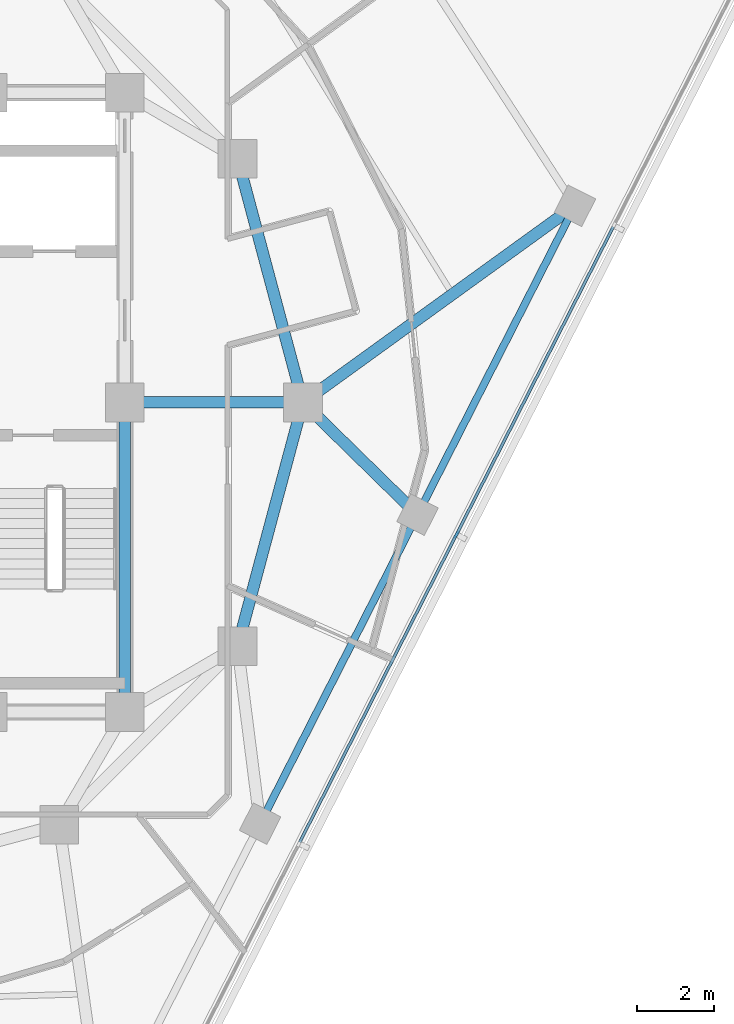
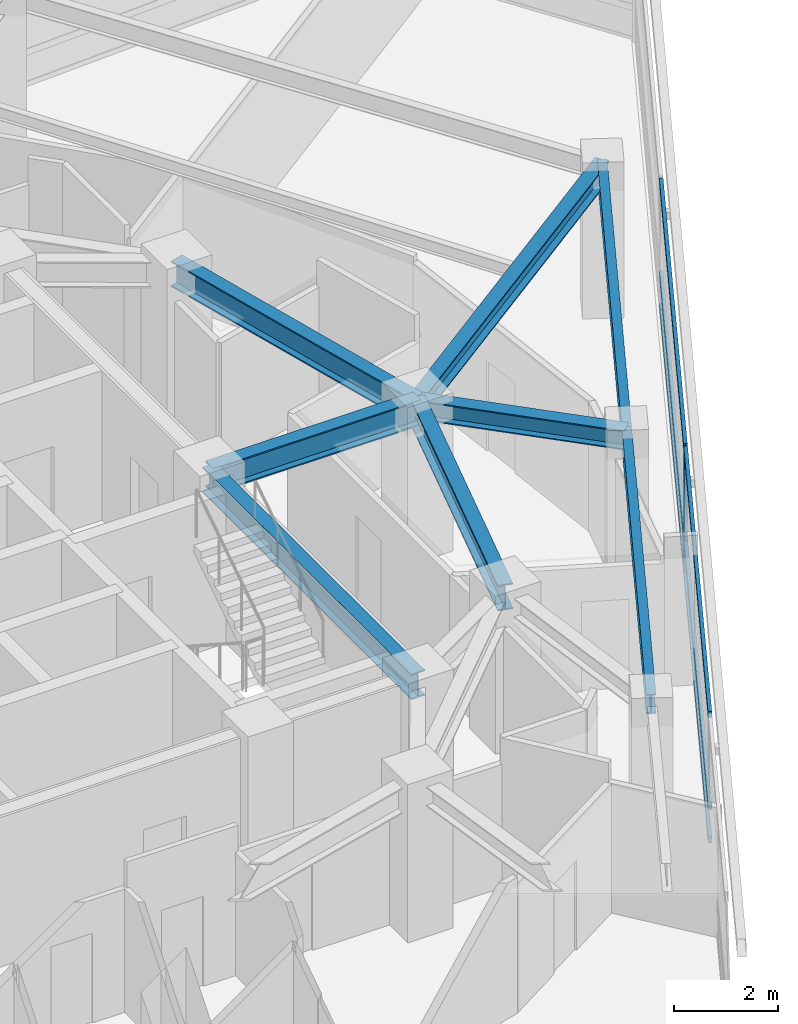
# One storey, part 4 of 15: 8 beams, 7 members, 1 element without a shape of its own.
"""IFC4 building model written with IfcOpenShell, lengths in metres."""

from ifc_helpers import new_model, si_unit, direction, frame, origin, origin_2d, place, context, subcontext, project, spatial, rectangle, i_section, extrude, material, layer, layer_set, material_profile, profile_set, type_object, element, aggregate, save


model = new_model("IFC4")

# Units and contexts
model_context = context("Model", 3, precision=1e-05, world=origin(), true_north=direction((0.0, 1.0)))
body_context = subcontext(model_context, "Body", "Model", "MODEL_VIEW")
ifc_project = project(units=[si_unit("LENGTHUNIT", "METRE"), si_unit("AREAUNIT", "SQUARE_METRE"), si_unit("VOLUMEUNIT", "CUBIC_METRE"), si_unit("PLANEANGLEUNIT", "RADIAN"), si_unit("MASSUNIT", "GRAM", prefix="KILO")], contexts=[model_context])

# Site, building, storey
site_placement = place(None, origin())
site = spatial("IfcSite", under=ifc_project, at=site_placement, CompositionType="ELEMENT")
building_placement = place(site_placement, origin())
building = spatial("IfcBuilding", under=site, at=building_placement, Name="Terralouvre Media Tower", CompositionType="ELEMENT")
storey_placement = place(building_placement, frame((0.0, 0.0, 255.89990234375)))
storey = spatial("IfcBuildingStorey", under=building, at=storey_placement, Name="L66", CompositionType="ELEMENT", Elevation=255.89990234375)

# Curtain wall, members
ifc_material_1 = material(Name="Low-iron laminated double glazing with solar-control coating", Category="glass")
ifc_layer = layer(ifc_material_1, 0.1650390625, Name="Upper Executive Tower Curtain Wall CW-05")
ifc_layer_set = layer_set([ifc_layer], Name="Low-iron laminated double glazing with solar-control coating")
curtain_wall_type = type_object("IfcCurtainWallType", Name="Upper Executive Tower Curtain Wall CW-05", PredefinedType="NOTDEFINED", material=ifc_layer_set)
curtain_wall_placement = place(storey_placement, origin())
curtain_wall = element("IfcCurtainWall", 1, at=curtain_wall_placement, inside=storey, type_object=curtain_wall_type, Name="L66 Facade Curtain Wall F0", PredefinedType="NOTDEFINED")
ifc_material_2 = material(Name="Anodised extruded aluminium 6063-T6", Category="aluminium")
ifc_material_profile_1 = material_profile(ifc_material_2, rectangle(XDim=0.074951171875, YDim=0.14990234375, at=origin_2d()), Name="ALU 75x150")
ifc_profile_set_1 = profile_set([ifc_material_profile_1], Name="Anodised extruded aluminium 6063-T6")
member_type_1 = type_object("IfcMemberType", Name="Curtain-Wall Horizontal Transom TR-150", PredefinedType="USERDEFINED", material=ifc_profile_set_1)
member_1_placement = place(storey_placement, frame((12.517822265625, -11.364013671875, 0.03759765625), z_axis=(0.4539932871, 0.891005103952, 0.0), x_axis=(-0.891005103952, 0.4539932871, 0.0)))
member_1 = element("IfcMember", 2, at=member_1_placement, type_object=member_type_1, Name="CW-05 transom 3.1", ObjectType="TRANSOM", PredefinedType="USERDEFINED", context=body_context, shape_type="SweptSolid", body=[
    extrude(rectangle(XDim=0.074951171875, YDim=0.14990234375, at=origin_2d()), origin(), (0.0, 0.0, 1.0), 8.885009765625),
])
member_2_placement = place(storey_placement, frame((12.517822265625, -11.364013671875, 0.800048828125), z_axis=(0.4539932871, 0.891005103952, 0.0), x_axis=(-0.891005103952, 0.4539932871, 0.0)))
member_2 = element("IfcMember", 3, at=member_2_placement, type_object=member_type_1, Name="CW-05 transom 3.2", ObjectType="TRANSOM", PredefinedType="USERDEFINED", context=body_context, shape_type="SweptSolid", body=[
    extrude(rectangle(XDim=0.074951171875, YDim=0.14990234375, at=origin_2d()), origin(), (0.0, 0.0, 1.0), 8.885009765625),
])
member_3_placement = place(storey_placement, frame((12.517822265625, -11.364013671875, 2.962646484375), z_axis=(0.4539932871, 0.891005103952, 0.0), x_axis=(-0.891005103952, 0.4539932871, 0.0)))
member_3 = element("IfcMember", 4, at=member_3_placement, type_object=member_type_1, Name="CW-05 transom 3.3", ObjectType="TRANSOM", PredefinedType="USERDEFINED", context=body_context, shape_type="SweptSolid", body=[
    extrude(rectangle(XDim=0.074951171875, YDim=0.14990234375, at=origin_2d()), origin(), (0.0, 0.0, 1.0), 8.885009765625),
])
member_4_placement = place(storey_placement, frame((16.585693359375, -3.380615234375, 0.03759765625), z_axis=(0.4539932871, 0.891005103952, 0.0), x_axis=(-0.891005103952, 0.4539932871, 0.0)))
member_4 = element("IfcMember", 5, at=member_4_placement, type_object=member_type_1, Name="CW-05 transom 4.1", ObjectType="TRANSOM", PredefinedType="USERDEFINED", context=body_context, shape_type="SweptSolid", body=[
    extrude(rectangle(XDim=0.074951171875, YDim=0.14990234375, at=origin_2d()), origin(), (0.0, 0.0, 1.0), 8.885009765625),
])
member_5_placement = place(storey_placement, frame((16.585693359375, -3.380615234375, 0.800048828125), z_axis=(0.4539932871, 0.891005103952, 0.0), x_axis=(-0.891005103952, 0.4539932871, 0.0)))
member_5 = element("IfcMember", 6, at=member_5_placement, type_object=member_type_1, Name="CW-05 transom 4.2", ObjectType="TRANSOM", PredefinedType="USERDEFINED", context=body_context, shape_type="SweptSolid", body=[
    extrude(rectangle(XDim=0.074951171875, YDim=0.14990234375, at=origin_2d()), origin(), (0.0, 0.0, 1.0), 8.885009765625),
])
member_6_placement = place(storey_placement, frame((16.585693359375, -3.380615234375, 2.962646484375), z_axis=(0.4539932871, 0.891005103952, 0.0), x_axis=(-0.891005103952, 0.4539932871, 0.0)))
member_6 = element("IfcMember", 7, at=member_6_placement, type_object=member_type_1, Name="CW-05 transom 4.3", ObjectType="TRANSOM", PredefinedType="USERDEFINED", context=body_context, shape_type="SweptSolid", body=[
    extrude(rectangle(XDim=0.074951171875, YDim=0.14990234375, at=origin_2d()), origin(), (0.0, 0.0, 1.0), 8.885009765625),
])
ifc_material_3 = material(Name="Anodised extruded aluminium 6063-T6", Category="aluminium")
ifc_material_profile_2 = material_profile(ifc_material_3, rectangle(XDim=0.074951171875, YDim=0.179931640625, at=origin_2d()), Name="ALU 75x180")
ifc_profile_set_2 = profile_set([ifc_material_profile_2], Name="Anodised extruded aluminium 6063-T6")
member_type_2 = type_object("IfcMemberType", Name="Curtain-Wall Vertical Mullion ML-180", PredefinedType="MULLION", material=ifc_profile_set_2)
member_7_placement = place(storey_placement, frame((16.568603515625, -3.4140625, 0.0), z_axis=(0.0, 0.0, 1.0), x_axis=(-0.891006553308, 0.45399044259, 0.0)))
member_7 = element("IfcMember", 8, at=member_7_placement, type_object=member_type_2, Name="CW-05 mullion 4", PredefinedType="MULLION", context=body_context, shape_type="SweptSolid", body=[
    extrude(rectangle(XDim=0.074951171875, YDim=0.179931640625, at=origin_2d()), origin(), (0.0, 0.0, 1.0), 3.0),
])
aggregate(curtain_wall, [member_7, member_1, member_2, member_3, member_4, member_5, member_6])

# Beams
ifc_material_4 = material(Name="Structural steel S355J2", Category="steel")
ifc_material_profile_3 = material_profile(ifc_material_4, i_section(OverallWidth=0.18994140625, OverallDepth=0.449951171875, WebThickness=0.009521484375, FlangeThickness=0.0146484375, at=origin_2d()), Name="IPE 450")
ifc_profile_set_3 = profile_set([ifc_material_profile_3], Name="Structural steel S355J2")
beam_type_1 = type_object("IfcBeamType", Name="Perimeter Spandrel Beam SPB-450 (IPE 450)", PredefinedType="SPANDREL", material=ifc_profile_set_3)
for number, where, z_axis, x_axis, name in (
    (9, (11.493896484375, -10.884521484375, 3.275146484375), (0.454001700669, 0.891000816941, 0.0), (-0.891000816941, 0.454001700669, 0.0), "L66 Framing Beam BM-L66-PR05"),
    (10, (15.561767578125, -2.901123046875, 3.275146484375), (0.453980068772, 0.891011838955, 0.0), (-0.891011838955, 0.453980068772, 0.0), "L66 Framing Beam BM-L66-PR06"),
):
    element("IfcBeam", number, at=place(storey_placement, frame(where, z_axis=z_axis, x_axis=x_axis)), inside=storey, type_object=beam_type_1, Name=name, PredefinedType="SPANDREL", context=body_context, shape_type="SweptSolid", body=[
        extrude(i_section(OverallWidth=0.18994140625, OverallDepth=0.449951171875, WebThickness=0.009521484375, FlangeThickness=0.0146484375, at=origin_2d()), origin(), (0.0, 0.0, 1.0), 8.9599609375),
    ])
ifc_material_5 = material(Name="Structural steel S355J2", Category="steel")
ifc_material_profile_4 = material_profile(ifc_material_5, i_section(OverallWidth=0.300048828125, OverallDepth=0.449951171875, WebThickness=0.013916015625, FlangeThickness=0.02587890625, at=origin_2d()), Name="HEB 450")
ifc_profile_set_4 = profile_set([ifc_material_profile_4], Name="Structural steel S355J2")
beam_type_2 = type_object("IfcBeamType", Name="Primary Floor Girder B-HEB450 (HEB 450)", PredefinedType="BEAM", material=ifc_profile_set_4)
beam_1_placement = place(storey_placement, frame((12.60009765625, 0.0, 3.275146484375), z_axis=(0.71437119745, -0.699766955675, 0.0), x_axis=(0.699766955675, 0.71437119745, 0.0)))
element("IfcBeam", 11, at=beam_1_placement, inside=storey, type_object=beam_type_2, Name="L66 Framing Beam BM-L66-RD06", PredefinedType="BEAM", context=body_context, shape_type="SweptSolid", body=[
    extrude(i_section(OverallWidth=0.300048828125, OverallDepth=0.449951171875, WebThickness=0.013916015625, FlangeThickness=0.02587890625, at=origin_2d()), origin(), (0.0, 0.0, 1.0), 4.145751953125),
])
beam_2_placement = place(storey_placement, frame((12.60009765625, 0.0, 3.275146484375), z_axis=(0.810374824206, 0.585911805901, 0.0), x_axis=(-0.585911805901, 0.810374824206, 0.0)))
element("IfcBeam", 12, at=beam_2_placement, inside=storey, type_object=beam_type_2, Name="L66 Framing Beam BM-L66-RD07", PredefinedType="BEAM", context=body_context, shape_type="SweptSolid", body=[
    extrude(i_section(OverallWidth=0.300048828125, OverallDepth=0.449951171875, WebThickness=0.013916015625, FlangeThickness=0.02587890625, at=origin_2d()), origin(), (0.0, 0.0, 1.0), 8.674072265625),
])
ifc_material_6 = material(Name="Structural steel S460M", Category="steel")
ifc_material_profile_5 = material_profile(ifc_material_6, i_section(OverallWidth=0.300048828125, OverallDepth=0.60009765625, WebThickness=0.015380859375, FlangeThickness=0.030029296875, at=origin_2d()), Name="HEB 600")
ifc_profile_set_5 = profile_set([ifc_material_profile_5], Name="Structural steel S460M")
beam_type_3 = type_object("IfcBeamType", Name="Primary Floor Girder B-HEB600 (HEB 600)", PredefinedType="BEAM", material=ifc_profile_set_5)
beam_3_placement = place(storey_placement, frame((8.0, -8.0, 3.2001953125), z_axis=(0.0, 1.0, 0.0), x_axis=(-1.0, 0.0, 0.0)))
element("IfcBeam", 13, at=beam_3_placement, inside=storey, type_object=beam_type_3, Name="L66 Framing Beam BM-L66-CPR04", PredefinedType="BEAM", context=body_context, shape_type="SweptSolid", body=[
    extrude(i_section(OverallWidth=0.300048828125, OverallDepth=0.60009765625, WebThickness=0.015380859375, FlangeThickness=0.030029296875, at=origin_2d()), origin(), (0.0, 0.0, 1.0), 8.0),
])
for number, where, z_axis, x_axis, name in (
    (14, (10.911865234375, -6.300048828125, 3.2001953125), (0.258838989821, 0.965920481897, 0.0), (-0.965920481897, 0.258838989821, 0.0), "L66 Framing Beam BM-L66-MR05"),
    (15, (12.60009765625, 0.0, 3.2001953125), (-0.258838989821, 0.965920481897, 0.0), (-0.965920481897, -0.258838989821, 0.0), "L66 Framing Beam BM-L66-MR06"),
):
    element("IfcBeam", number, at=place(storey_placement, frame(where, z_axis=z_axis, x_axis=x_axis)), inside=storey, type_object=beam_type_3, Name=name, PredefinedType="BEAM", context=body_context, shape_type="SweptSolid", body=[
        extrude(i_section(OverallWidth=0.300048828125, OverallDepth=0.60009765625, WebThickness=0.015380859375, FlangeThickness=0.030029296875, at=origin_2d()), origin(), (0.0, 0.0, 1.0), 6.522216796875),
    ])
beam_4_placement = place(storey_placement, frame((8.0, 0.0, 3.2001953125), z_axis=(1.0, 0.0, 0.0), x_axis=(0.0, 1.0, 0.0)))
element("IfcBeam", 16, at=beam_4_placement, inside=storey, type_object=beam_type_3, Name="L66 Framing Beam BM-L66-CM06", PredefinedType="BEAM", context=body_context, shape_type="SweptSolid", body=[
    extrude(i_section(OverallWidth=0.300048828125, OverallDepth=0.60009765625, WebThickness=0.015380859375, FlangeThickness=0.030029296875, at=origin_2d()), origin(), (0.0, 0.0, 1.0), 4.60009765625),
])

save(model, "model.ifc")
